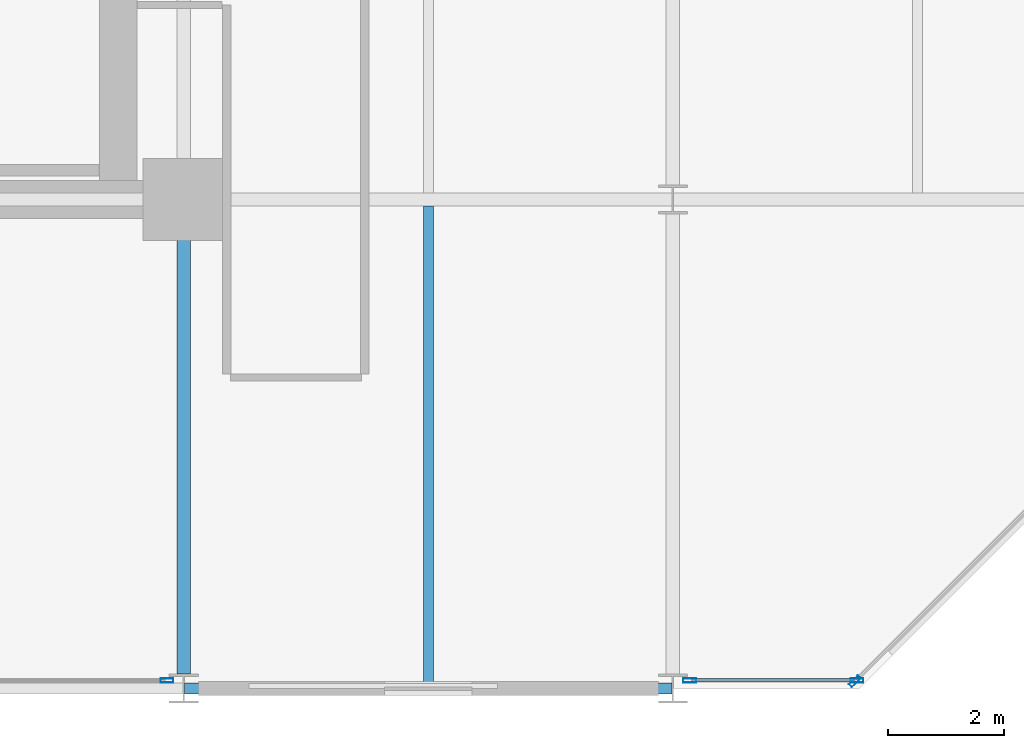
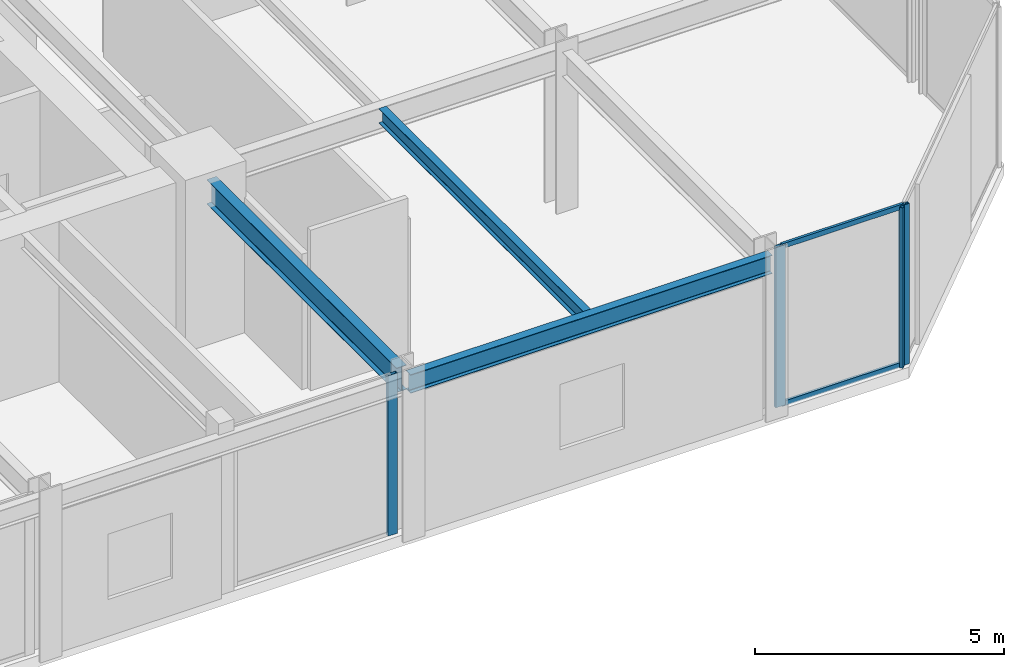
# One storey, part 9 of 24: 6 members, 3 beams, 3 elements without a shape of their own.
"""IFC4 building model written with IfcOpenShell, lengths in metres."""

from ifc_helpers import new_model, si_unit, direction, frame, origin, origin_2d, place, context, subcontext, project, spatial, hollow_rectangle, i_section, extrude, material, layer, layer_set, material_profile, profile_set, type_object, element, aggregate, save


model = new_model("IFC4")

# Units and contexts
model_context = context("Model", 3, precision=1e-05, world=origin(), true_north=direction((0.0, 1.0)))
body_context = subcontext(model_context, "Body", "Model", "MODEL_VIEW")
ifc_project = project(units=[si_unit("LENGTHUNIT", "METRE"), si_unit("AREAUNIT", "SQUARE_METRE"), si_unit("VOLUMEUNIT", "CUBIC_METRE"), si_unit("PLANEANGLEUNIT", "RADIAN"), si_unit("MASSUNIT", "GRAM", prefix="KILO")], contexts=[model_context])

# Site, building, storey
site_placement = place(None, origin())
site = spatial("IfcSite", under=ifc_project, at=site_placement, CompositionType="ELEMENT")
building_placement = place(site_placement, origin())
building = spatial("IfcBuilding", under=site, at=building_placement, Name="Nerrivon Quay Data Exchange", CompositionType="ELEMENT")
storey_placement = place(building_placement, frame((0.0, 0.0, 45.800048828125)))
storey = spatial("IfcBuildingStorey", under=building, at=storey_placement, Name="L10", CompositionType="ELEMENT", Elevation=45.800048828125)

# Beams
ifc_material_1 = material(Name="Steel Grade 350", Category="steel")
ifc_material_profile_1 = material_profile(ifc_material_1, i_section(OverallWidth=0.22802734375, OverallDepth=0.60205078125, WebThickness=0.010498046875, FlangeThickness=0.014892578125, FilletRadius=0.013916015625, at=origin_2d()), Name="610UB101")
ifc_profile_set_1 = profile_set([ifc_material_profile_1], Name="Steel Grade 350")
beam_type_1 = type_object("IfcBeamType", Name="BM-G2-610UB101", PredefinedType="BEAM", material=ifc_profile_set_1)
beam_1_placement = place(storey_placement, frame((33.60009765625, 0.25, 3.6240234375), z_axis=(0.0, 1.0, 0.0), x_axis=(-1.0, 0.0, 0.0)))
element("IfcBeam", 1, at=beam_1_placement, inside=storey, type_object=beam_type_1, Name="L10 NS Girder X=33.6 (0.0..8.4)", PredefinedType="BEAM", context=body_context, shape_type="SweptSolid", body=[
    extrude(i_section(OverallWidth=0.22802734375, OverallDepth=0.60205078125, WebThickness=0.010498046875, FlangeThickness=0.014892578125, FilletRadius=0.013916015625, at=origin_2d()), origin(), (0.0, 0.0, 1.0), 7.610107421875),
])
ifc_material_profile_2 = material_profile(ifc_material_1, i_section(OverallWidth=0.172119140625, OverallDepth=0.35888671875, WebThickness=0.008056640625, FlangeThickness=0.012939453125, FilletRadius=0.011474609375, at=origin_2d()), Name="360UB56.7")
ifc_profile_set_2 = profile_set([ifc_material_profile_2], Name="Steel Grade 350")
beam_type_2 = type_object("IfcBeamType", Name="BM-J3-360UB57", PredefinedType="JOIST", material=ifc_profile_set_2)
beam_2_placement = place(storey_placement, frame((37.800048828125, 0.094970703125, 3.745361328125), z_axis=(0.0, 1.0, 0.0), x_axis=(-1.0, 0.0, 0.0)))
element("IfcBeam", 2, at=beam_2_placement, inside=storey, type_object=beam_type_2, Name="L10 Secondary Joist X=37.8 (0.0..8.4)", PredefinedType="JOIST", context=body_context, shape_type="SweptSolid", body=[
    extrude(i_section(OverallWidth=0.172119140625, OverallDepth=0.35888671875, WebThickness=0.008056640625, FlangeThickness=0.012939453125, FilletRadius=0.011474609375, at=origin_2d()), origin(), (0.0, 0.0, 1.0), 8.1904296875),
])
ifc_material_profile_3 = material_profile(ifc_material_1, i_section(OverallWidth=0.18994140625, OverallDepth=0.4541015625, WebThickness=0.008544921875, FlangeThickness=0.0126953125, FilletRadius=0.011474609375, at=origin_2d()), Name="460UB67.1")
ifc_profile_set_3 = profile_set([ifc_material_profile_3], Name="Steel Grade 350")
beam_type_3 = type_object("IfcBeamType", Name="BM-SP1-460UB67", PredefinedType="SPANDREL", material=ifc_profile_set_3)
beam_3_placement = place(storey_placement, frame((33.614013671875, 0.0, 3.697998046875), z_axis=(1.0, 0.0, 0.0), x_axis=(0.0, 1.0, 0.0)))
element("IfcBeam", 3, at=beam_3_placement, inside=storey, type_object=beam_type_3, Name="L10 EW Girder Y=0.0 (33.6..42.0)", PredefinedType="SPANDREL", context=body_context, shape_type="SweptSolid", body=[
    extrude(i_section(OverallWidth=0.18994140625, OverallDepth=0.4541015625, WebThickness=0.008544921875, FlangeThickness=0.0126953125, FilletRadius=0.011474609375, at=origin_2d()), origin(), (0.0, 0.0, 1.0), 8.3720703125),
])

# Curtain wall, member
ifc_material_2 = material(Name="Anodised aluminium 6063-T6", Category="aluminium")
ifc_layer = layer(ifc_material_2, 0.219970703125)
ifc_layer_set = layer_set([ifc_layer], Name="Anodised aluminium 6063-T6")
curtain_wall_type = type_object("IfcCurtainWallType", Name="CW-SYS-01", PredefinedType="NOTDEFINED", material=ifc_layer_set)
curtain_wall_1_placement = place(storey_placement, origin())
curtain_wall_1 = element("IfcCurtainWall", 4, at=curtain_wall_1_placement, inside=storey, type_object=curtain_wall_type, Name="L10 Unitised Curtain Wall 1", PredefinedType="NOTDEFINED")
ifc_material_profile_4 = material_profile(ifc_material_2, hollow_rectangle(XDim=0.074951171875, YDim=0.219970703125, WallThickness=0.00390625, at=origin_2d()), Name="ALU-MULL-220x75")
ifc_profile_set_4 = profile_set([ifc_material_profile_4], Name="Anodised aluminium 6063-T6")
member_type_1 = type_object("IfcMemberType", Name="CWM-220x75", PredefinedType="MULLION", material=ifc_profile_set_4)
member_1_placement = place(storey_placement, frame((45.12744140625, 0.12548828125, 0.0), z_axis=(0.0, 0.0, 1.0), x_axis=(0.707106781187, -0.707106781187, 0.0)))
member_1 = element("IfcMember", 5, at=member_1_placement, type_object=member_type_1, Name="CW01 mullion 2", PredefinedType="MULLION", context=body_context, shape_type="SweptSolid", body=[
    extrude(hollow_rectangle(XDim=0.074951171875, YDim=0.219970703125, WallThickness=0.00390625, at=origin_2d()), origin(), (0.0, 0.0, 1.0), 3.925048828125),
])
aggregate(curtain_wall_1, [member_1])

# Curtain wall, members
curtain_wall_2_placement = place(storey_placement, origin())
curtain_wall_2 = element("IfcCurtainWall", 6, at=curtain_wall_2_placement, inside=storey, type_object=curtain_wall_type, Name="L10 Unitised Curtain Wall 2", PredefinedType="NOTDEFINED")
member_2_placement = place(storey_placement, frame((45.16259765625, 0.139892578125, 0.0), z_axis=(0.0, 0.0, 1.0), x_axis=(0.0, -1.0, 0.0)))
member_2 = element("IfcMember", 7, at=member_2_placement, type_object=member_type_1, Name="CW01 mullion 1", PredefinedType="MULLION", context=body_context, shape_type="SweptSolid", body=[
    extrude(hollow_rectangle(XDim=0.074951171875, YDim=0.219970703125, WallThickness=0.00390625, at=origin_2d()), origin(), (0.0, 0.0, 1.0), 3.925048828125),
])
member_3_placement = place(storey_placement, frame((42.28759765625, 0.139892578125, 0.0), z_axis=(0.0, 0.0, 1.0), x_axis=(0.0, -1.0, 0.0)))
member_3 = element("IfcMember", 8, at=member_3_placement, type_object=member_type_1, Name="CW01 mullion 2", PredefinedType="MULLION", context=body_context, shape_type="SweptSolid", body=[
    extrude(hollow_rectangle(XDim=0.074951171875, YDim=0.219970703125, WallThickness=0.00390625, at=origin_2d()), origin(), (0.0, 0.0, 1.0), 3.925048828125),
])

# Curtain wall, member
curtain_wall_3_placement = place(storey_placement, origin())
curtain_wall_3 = element("IfcCurtainWall", 9, at=curtain_wall_3_placement, inside=storey, type_object=curtain_wall_type, Name="L10 Unitised Curtain Wall 4", PredefinedType="NOTDEFINED")
member_4_placement = place(storey_placement, frame((33.3125, 0.139892578125, 0.0), z_axis=(0.0, 0.0, 1.0), x_axis=(0.0, -1.0, 0.0)))
member_4 = element("IfcMember", 10, at=member_4_placement, type_object=member_type_1, Name="CW01 mullion 1", PredefinedType="MULLION", context=body_context, shape_type="SweptSolid", body=[
    extrude(hollow_rectangle(XDim=0.074951171875, YDim=0.219970703125, WallThickness=0.00390625, at=origin_2d()), origin(), (0.0, 0.0, 1.0), 3.925048828125),
])
aggregate(curtain_wall_3, [member_4])

# Member
ifc_material_profile_5 = material_profile(ifc_material_2, hollow_rectangle(XDim=0.06005859375, YDim=0.1201171875, WallThickness=0.003173828125, at=origin_2d()), Name="ALU-TRAN-120x60")
ifc_profile_set_5 = profile_set([ifc_material_profile_5], Name="Anodised aluminium 6063-T6")
member_type_2 = type_object("IfcMemberType", Name="CWT-120x60", PredefinedType="USERDEFINED", material=ifc_profile_set_5)
member_5_placement = place(storey_placement, frame((45.125, 0.139892578125, 0.032470703125), z_axis=(-1.0, 0.0, 0.0), x_axis=(0.0, -1.0, 0.0)))
member_5 = element("IfcMember", 11, at=member_5_placement, type_object=member_type_2, Name="CW01 transom 1.1", ObjectType="TRANSOM", PredefinedType="USERDEFINED", context=body_context, shape_type="SweptSolid", body=[
    extrude(hollow_rectangle(XDim=0.06005859375, YDim=0.1201171875, WallThickness=0.003173828125, at=origin_2d()), origin(), (0.0, 0.0, 1.0), 2.800048828125),
])

member_6_placement = place(storey_placement, frame((45.125, 0.139892578125, 3.892333984375), z_axis=(-1.0, 0.0, 0.0), x_axis=(0.0, -1.0, 0.0)))
member_6 = element("IfcMember", 12, at=member_6_placement, type_object=member_type_2, Name="CW01 transom 1.2", ObjectType="TRANSOM", PredefinedType="USERDEFINED", context=body_context, shape_type="SweptSolid", body=[
    extrude(hollow_rectangle(XDim=0.06005859375, YDim=0.1201171875, WallThickness=0.003173828125, at=origin_2d()), origin(), (0.0, 0.0, 1.0), 2.800048828125),
])

aggregate(curtain_wall_2, [member_2, member_3, member_5, member_6])

save(model, "model.ifc")
